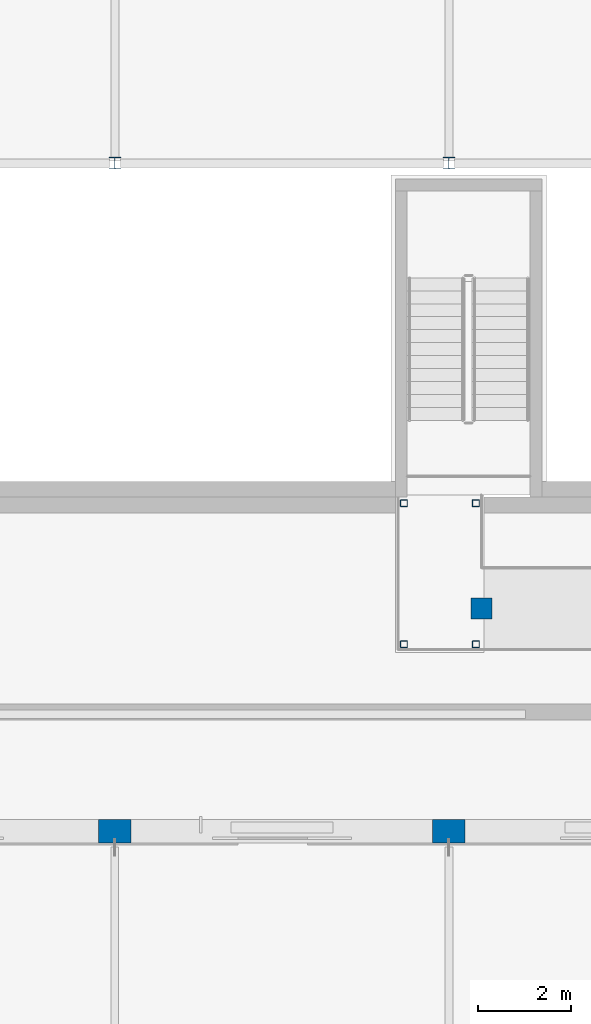
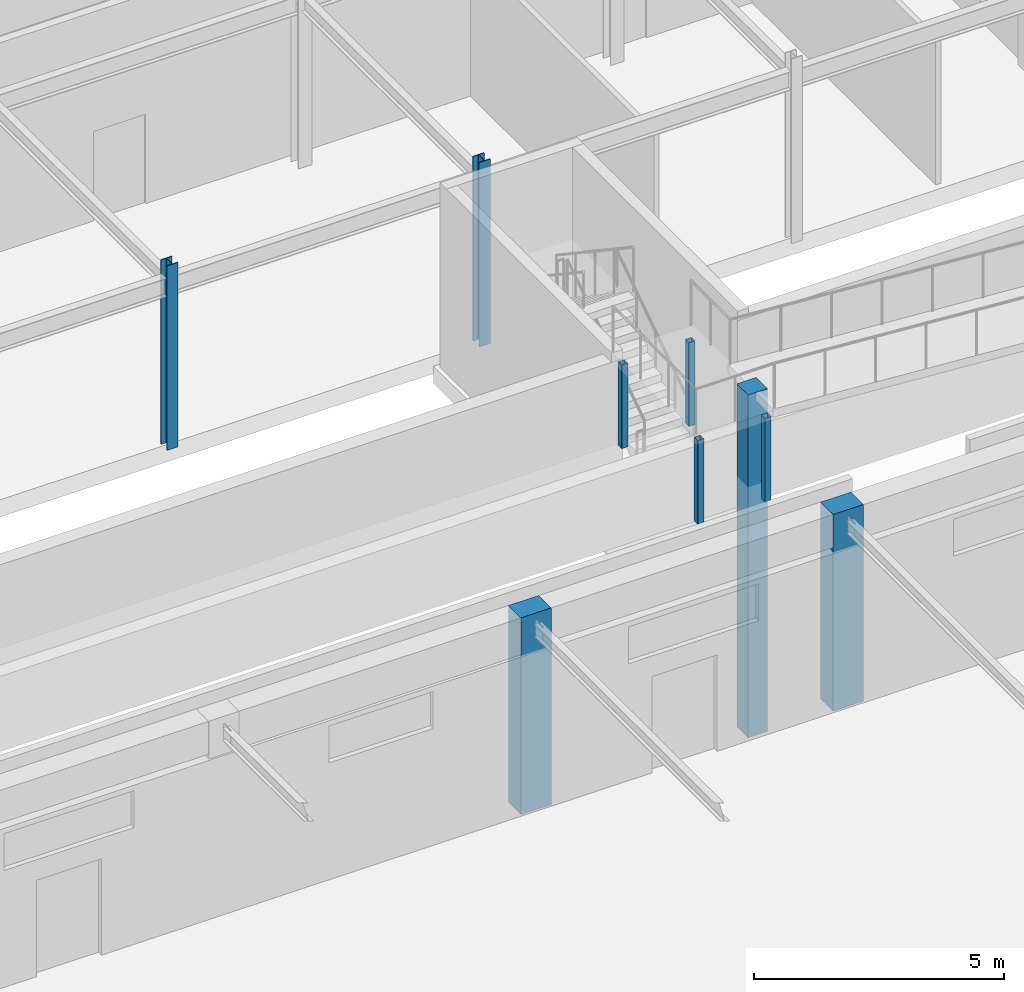
# One storey, part 16 of 85: 9 columns.
"""IFC4 building model written with IfcOpenShell, lengths in metres."""

from ifc_helpers import new_model, si_unit, direction, frame, origin, origin_2d, place, context, subcontext, project, spatial, rectangle, hollow_rectangle, i_section, extrude, material, material_profile, profile_set, type_object, element, save


model = new_model("IFC4")

# Units and contexts
model_context = context("Model", 3, precision=1e-05, world=origin(), true_north=direction((0.0, 1.0)))
body_context = subcontext(model_context, "Body", "Model", "MODEL_VIEW")
ifc_project = project(units=[si_unit("LENGTHUNIT", "METRE"), si_unit("AREAUNIT", "SQUARE_METRE"), si_unit("VOLUMEUNIT", "CUBIC_METRE"), si_unit("PLANEANGLEUNIT", "RADIAN"), si_unit("MASSUNIT", "GRAM", prefix="KILO")], contexts=[model_context])

# Site, building, storey
site_placement = place(None, origin())
site = spatial("IfcSite", under=ifc_project, at=site_placement, CompositionType="ELEMENT")
building_placement = place(site_placement, origin())
building = spatial("IfcBuilding", under=site, at=building_placement, Name="Ochrevale Crest", CompositionType="ELEMENT")
storey_placement = place(building_placement, origin())
storey = spatial("IfcBuildingStorey", under=building, at=storey_placement, Name="L00", CompositionType="ELEMENT", Elevation=0.0)

# Columns
ifc_material_1 = material(Name="Precast concrete C40/50", Category="concrete")
ifc_material_profile_1 = material_profile(ifc_material_1, rectangle(XDim=0.449951171875, YDim=0.449951171875, at=origin_2d()), Name="RC 450x450")
ifc_profile_set_1 = profile_set([ifc_material_profile_1], Name="Precast concrete C40/50")
column_type_1 = type_object("IfcColumnType", Name="COL-RC450x450", PredefinedType="COLUMN", material=ifc_profile_set_1)
column_placement = place(storey_placement, frame((94.300048828125, 69.60009765625, -3.860107421875), z_axis=(0.0, 0.0, 1.0), x_axis=(1.0, 0.0, 0.0)))
element("IfcColumn", 1, at=column_placement, inside=storey, type_object=column_type_1, Name="Foundation support pier FTG-PF-RE2C", PredefinedType="COLUMN", context=body_context, shape_type="SweptSolid", body=[
    extrude(rectangle(XDim=0.449951171875, YDim=0.449951171875, at=origin_2d()), origin(), (0.0, 0.0, 1.0), 8.360107421875),
])
ifc_material_2 = material(Name="Precast concrete C50/60", Category="concrete")
ifc_material_profile_2 = material_profile(ifc_material_2, rectangle(XDim=0.5, YDim=0.699951171875, at=origin_2d()), Name="RC 500x700")
ifc_profile_set_2 = profile_set([ifc_material_profile_2], Name="Precast concrete C50/60")
column_type_2 = type_object("IfcColumnType", Name="COL-RC500x700", PredefinedType="COLUMN", material=ifc_profile_set_2)
for number, where, z_axis, x_axis, name in (
    (2, (86.39990234375, 64.800048828125, 0.0), (0.0, 0.0, 1.0), (0.0, 1.0, 0.0), "Community Hall buttress column 5-N"),
    (3, (93.60009765625, 64.800048828125, 0.0), (0.0, 0.0, 1.0), (0.0, 1.0, 0.0), "Community Hall buttress column 6-N"),
):
    element("IfcColumn", number, at=place(storey_placement, frame(where, z_axis=z_axis, x_axis=x_axis)), inside=storey, type_object=column_type_2, Name=name, PredefinedType="COLUMN", context=body_context, shape_type="SweptSolid", body=[
        extrude(rectangle(XDim=0.5, YDim=0.699951171875, at=origin_2d()), origin(), (0.0, 0.0, 1.0), 4.800048828125),
    ])
ifc_material_3 = material(Name="Steel S355", Category="steel")
ifc_material_profile_3 = material_profile(ifc_material_3, hollow_rectangle(XDim=0.14990234375, YDim=0.14990234375, WallThickness=0.006103515625, InnerFilletRadius=0.006103515625, OuterFilletRadius=0.011962890625, at=origin_2d()), Name="150x150x6.0SHS")
ifc_profile_set_3 = profile_set([ifc_material_profile_3], Name="Steel S355")
column_type_3 = type_object("IfcColumnType", Name="COL-SHS150", PredefinedType="COLUMN", material=ifc_profile_set_3)
for number, where, z_axis, x_axis, name in (
    (4, (92.6298828125, 68.830078125, 2.25), (0.0, 0.0, 1.0), (1.0, 0.0, 0.0), "Ramp landing RMP-ACC-E2-TOP support post 1"),
    (5, (94.179931640625, 68.830078125, 2.25), (0.0, 0.0, 1.0), (1.0, 0.0, 0.0), "Ramp landing RMP-ACC-E2-TOP support post 2"),
    (6, (92.6298828125, 71.8701171875, 2.25), (0.0, 0.0, 1.0), (1.0, 0.0, 0.0), "Ramp landing RMP-ACC-E2-TOP support post 3"),
    (7, (94.179931640625, 71.8701171875, 2.25), (0.0, 0.0, 1.0), (1.0, 0.0, 0.0), "Ramp landing RMP-ACC-E2-TOP support post 4"),
):
    element("IfcColumn", number, at=place(storey_placement, frame(where, z_axis=z_axis, x_axis=x_axis)), inside=storey, type_object=column_type_3, Name=name, PredefinedType="COLUMN", context=body_context, shape_type="SweptSolid", body=[
        extrude(hollow_rectangle(XDim=0.14990234375, YDim=0.14990234375, WallThickness=0.006103515625, InnerFilletRadius=0.006103515625, OuterFilletRadius=0.011962890625, at=origin_2d()), origin(), (0.0, 0.0, 1.0), 2.0400390625),
    ])
ifc_material_profile_4 = material_profile(ifc_material_3, i_section(OverallWidth=0.256103515625, OverallDepth=0.260009765625, WebThickness=0.010498046875, FlangeThickness=0.017333984375, FilletRadius=0.0126953125, at=origin_2d()), Name="250UC89.5")
ifc_profile_set_4 = profile_set([ifc_material_profile_4], Name="Steel S355")
column_type_4 = type_object("IfcColumnType", Name="COL-UC250B", PredefinedType="COLUMN", material=ifc_profile_set_4)
for number, where, z_axis, x_axis, name in (
    (8, (86.39990234375, 79.199951171875, 0.0), (0.0, 0.0, 1.0), (1.0, 0.0, 0.0), "Nursery L00 steel column (86.4,79.2)"),
    (9, (93.60009765625, 79.199951171875, 0.0), (0.0, 0.0, 1.0), (1.0, 0.0, 0.0), "Nursery L00 steel column (93.6,79.2)"),
):
    element("IfcColumn", number, at=place(storey_placement, frame(where, z_axis=z_axis, x_axis=x_axis)), inside=storey, type_object=column_type_4, Name=name, PredefinedType="COLUMN", context=body_context, shape_type="SweptSolid", body=[
        extrude(i_section(OverallWidth=0.256103515625, OverallDepth=0.260009765625, WebThickness=0.010498046875, FlangeThickness=0.017333984375, FilletRadius=0.0126953125, at=origin_2d()), origin(), (0.0, 0.0, 1.0), 4.5),
    ])

save(model, "model.ifc")
